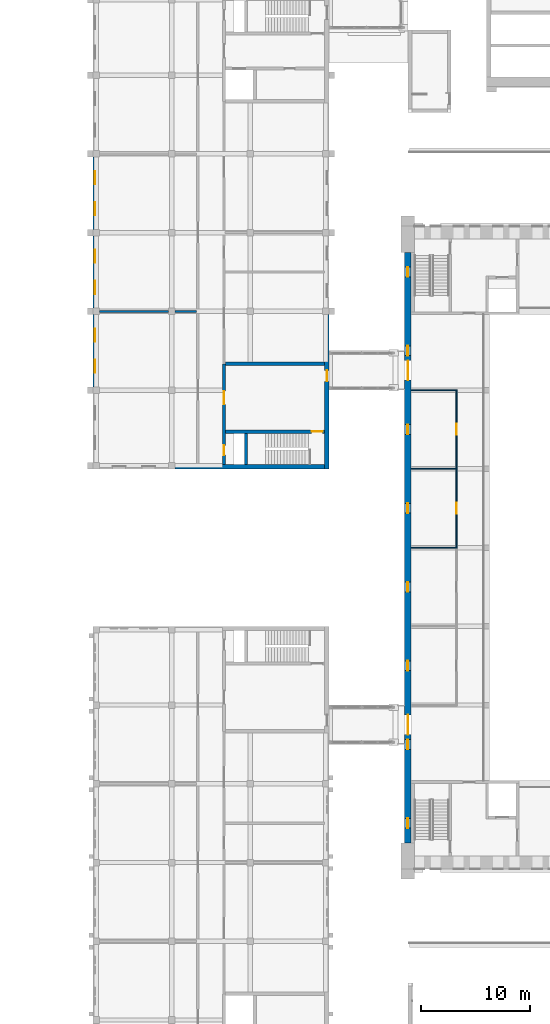
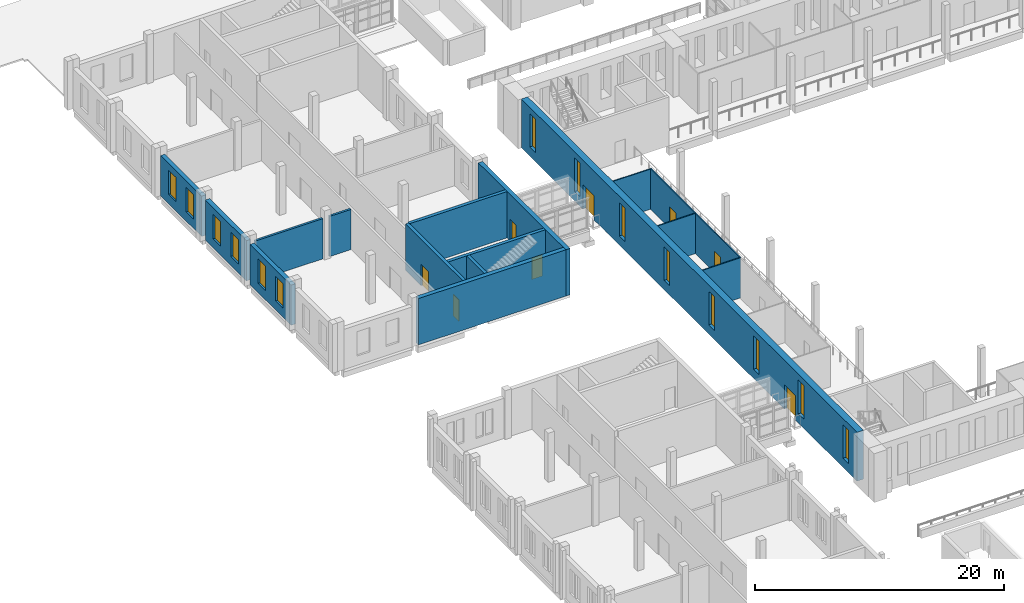
# One storey, part 83 of 131: 17 walls, 14 windows, 8 doors, 22 openings.
"""IFC4 building model written with IfcOpenShell, lengths in metres."""

from ifc_helpers import new_model, si_unit, direction, frame, frame_2d, origin, place, context, subcontext, project, spatial, rectangle, extrude, material, layer, layer_set, type_object, element, fill, save


model = new_model("IFC4")

# Units and contexts
model_context = context("Model", 3, precision=1e-05, world=origin(), true_north=direction((0.0, 1.0)))
body_context = subcontext(model_context, "Body", "Model", "MODEL_VIEW")
ifc_project = project(units=[si_unit("LENGTHUNIT", "METRE"), si_unit("AREAUNIT", "SQUARE_METRE"), si_unit("VOLUMEUNIT", "CUBIC_METRE"), si_unit("PLANEANGLEUNIT", "RADIAN"), si_unit("MASSUNIT", "GRAM", prefix="KILO")], contexts=[model_context])

# Site, building, storey
site_placement = place(None, origin())
site = spatial("IfcSite", under=ifc_project, at=site_placement, CompositionType="ELEMENT")
building_placement = place(site_placement, origin())
building = spatial("IfcBuilding", under=site, at=building_placement, Name="Alderwick Market Hall", CompositionType="ELEMENT")
storey_placement = place(building_placement, frame((0.0, 0.0, 4.800048828125)))
storey = spatial("IfcBuildingStorey", under=building, at=storey_placement, Name="L00", CompositionType="ELEMENT", Elevation=4.800048828125)

# Wall, openings, windows
ifc_material_1 = material(Name="Face brick", Category="masonry")
ifc_layer_1 = layer(ifc_material_1, 0.39990234375)
ifc_layer_set_1 = layer_set([ifc_layer_1], Name="Face brick")
wall_type_1 = type_object("IfcWallType", Name="B Brick Cavity Wall 400", PredefinedType="SOLIDWALL", material=ifc_layer_set_1)
wall_1_placement = place(storey_placement, frame((21.800048828125, 93.89990234375, 0.0), z_axis=(0.0, 0.0, 1.0), x_axis=(0.0, 1.0, 0.0)))
wall_1 = element("IfcWall", 1, at=wall_1_placement, inside=storey, type_object=wall_type_1, Name="B.N.wall.L00.017", PredefinedType="SOLIDWALL", context=body_context, shape_type="SweptSolid", body=[
    extrude(rectangle(XDim=6.60009765625, YDim=0.39990234375, at=frame_2d((3.300048828125, 0.0))), origin(), (0.0, 0.0, 1.0), 3.949951171875),
])
opening_1_placement = place(wall_1_placement, frame((1.27490234375, 0.0, 0.89990234375)))
opening_1 = element("IfcOpeningElement", 2, at=opening_1_placement, cuts=wall_1, Name="Opening B-W016", PredefinedType="OPENING", context=body_context, shape_type="SweptSolid", body=[
    extrude(rectangle(XDim=1.199951171875, YDim=2.39990234375, at=frame_2d((0.60009765625, 1.199951171875))), frame((0.0, 0.2099609375, 0.0), z_axis=(0.0, -1.0, 0.0), x_axis=(1.0, 0.0, 0.0)), (0.0, 0.0, 1.0), 0.419921875),
])
opening_2_placement = place(wall_1_placement, frame((4.125, 0.0, 0.89990234375)))
opening_2 = element("IfcOpeningElement", 3, at=opening_2_placement, cuts=wall_1, Name="Opening B-W017", PredefinedType="OPENING", context=body_context, shape_type="SweptSolid", body=[
    extrude(rectangle(XDim=1.199951171875, YDim=2.39990234375, at=frame_2d((0.60009765625, 1.199951171875))), frame((0.0, 0.2099609375, 0.0), z_axis=(0.0, -1.0, 0.0), x_axis=(1.0, 0.0, 0.0)), (0.0, 0.0, 1.0), 0.419921875),
])
ifc_material_2 = material(Name="Aluminium frame", Category="aluminium")
window_type_1 = type_object("IfcWindowType", Name="B Piano Nobile Window 1200x2400", PartitioningType="SINGLE_PANEL", PredefinedType="WINDOW", material=ifc_material_2)
window_1_placement = place(opening_1_placement, origin())
window_1 = element("IfcWindow", 4, at=window_1_placement, inside=storey, type_object=window_type_1, Name="Window B-W016", OverallHeight=2.39990234375, OverallWidth=1.199951171875, PartitioningType="SINGLE_PANEL", PredefinedType="WINDOW", context=body_context, shape_type="SweptSolid", body=[
    extrude(rectangle(XDim=1.199951171875, YDim=2.39990234375, at=frame_2d((0.60009765625, 1.199951171875))), frame((0.0, 0.030029296875, 0.0), z_axis=(0.0, -1.0, 0.0), x_axis=(1.0, 0.0, 0.0)), (0.0, 0.0, 1.0), 0.06005859375),
])
fill(opening_1, window_1)
window_2_placement = place(opening_2_placement, origin())
window_2 = element("IfcWindow", 5, at=window_2_placement, inside=storey, type_object=window_type_1, Name="Window B-W017", OverallHeight=2.39990234375, OverallWidth=1.199951171875, PartitioningType="SINGLE_PANEL", PredefinedType="WINDOW", context=body_context, shape_type="SweptSolid", body=[
    extrude(rectangle(XDim=1.199951171875, YDim=2.39990234375, at=frame_2d((0.60009765625, 1.199951171875))), frame((0.0, 0.030029296875, 0.0), z_axis=(0.0, -1.0, 0.0), x_axis=(1.0, 0.0, 0.0)), (0.0, 0.0, 1.0), 0.06005859375),
])
fill(opening_2, window_2)

wall_2_placement = place(storey_placement, frame((21.800048828125, 101.10009765625, 0.0), z_axis=(0.0, 0.0, 1.0), x_axis=(0.0, 1.0, 0.0)))
wall_2 = element("IfcWall", 6, at=wall_2_placement, inside=storey, type_object=wall_type_1, Name="B.N.wall.L00.018", PredefinedType="SOLIDWALL", context=body_context, shape_type="SweptSolid", body=[
    extrude(rectangle(XDim=6.599853515625, YDim=0.39990234375, at=frame_2d((3.2998046875, 0.0))), origin(), (0.0, 0.0, 1.0), 3.949951171875),
])
opening_3_placement = place(wall_2_placement, frame((1.27490234375, 0.0, 0.89990234375)))
opening_3 = element("IfcOpeningElement", 7, at=opening_3_placement, cuts=wall_2, Name="Opening B-W018", PredefinedType="OPENING", context=body_context, shape_type="SweptSolid", body=[
    extrude(rectangle(XDim=1.199951171875, YDim=2.39990234375, at=frame_2d((0.60009765625, 1.199951171875))), frame((0.0, 0.2099609375, 0.0), z_axis=(0.0, -1.0, 0.0), x_axis=(1.0, 0.0, 0.0)), (0.0, 0.0, 1.0), 0.419921875),
])
opening_4_placement = place(wall_2_placement, frame((4.125, 0.0, 0.89990234375)))
opening_4 = element("IfcOpeningElement", 8, at=opening_4_placement, cuts=wall_2, Name="Opening B-W019", PredefinedType="OPENING", context=body_context, shape_type="SweptSolid", body=[
    extrude(rectangle(XDim=1.199951171875, YDim=2.39990234375, at=frame_2d((0.60009765625, 1.199951171875))), frame((0.0, 0.2099609375, 0.0), z_axis=(0.0, -1.0, 0.0), x_axis=(1.0, 0.0, 0.0)), (0.0, 0.0, 1.0), 0.419921875),
])
window_3_placement = place(opening_3_placement, origin())
window_3 = element("IfcWindow", 9, at=window_3_placement, inside=storey, type_object=window_type_1, Name="Window B-W018", OverallHeight=2.39990234375, OverallWidth=1.199951171875, PartitioningType="SINGLE_PANEL", PredefinedType="WINDOW", context=body_context, shape_type="SweptSolid", body=[
    extrude(rectangle(XDim=1.199951171875, YDim=2.39990234375, at=frame_2d((0.60009765625, 1.199951171875))), frame((0.0, 0.030029296875, 0.0), z_axis=(0.0, -1.0, 0.0), x_axis=(1.0, 0.0, 0.0)), (0.0, 0.0, 1.0), 0.06005859375),
])
fill(opening_3, window_3)
window_4_placement = place(opening_4_placement, origin())
window_4 = element("IfcWindow", 10, at=window_4_placement, inside=storey, type_object=window_type_1, Name="Window B-W019", OverallHeight=2.39990234375, OverallWidth=1.199951171875, PartitioningType="SINGLE_PANEL", PredefinedType="WINDOW", context=body_context, shape_type="SweptSolid", body=[
    extrude(rectangle(XDim=1.199951171875, YDim=2.39990234375, at=frame_2d((0.60009765625, 1.199951171875))), frame((0.0, 0.030029296875, 0.0), z_axis=(0.0, -1.0, 0.0), x_axis=(1.0, 0.0, 0.0)), (0.0, 0.0, 1.0), 0.06005859375),
])
fill(opening_4, window_4)

wall_3_placement = place(storey_placement, frame((21.800048828125, 108.300048828125, 0.0), z_axis=(0.0, 0.0, 1.0), x_axis=(0.0, 1.0, 0.0)))
wall_3 = element("IfcWall", 11, at=wall_3_placement, inside=storey, type_object=wall_type_1, Name="B.N.wall.L00.019", PredefinedType="SOLIDWALL", context=body_context, shape_type="SweptSolid", body=[
    extrude(rectangle(XDim=6.599853515625, YDim=0.39990234375, at=frame_2d((3.2998046875, 0.0))), origin(), (0.0, 0.0, 1.0), 3.949951171875),
])
opening_5_placement = place(wall_3_placement, frame((1.27490234375, 0.0, 0.89990234375)))
opening_5 = element("IfcOpeningElement", 12, at=opening_5_placement, cuts=wall_3, Name="Opening B-W020", PredefinedType="OPENING", context=body_context, shape_type="SweptSolid", body=[
    extrude(rectangle(XDim=1.199951171875, YDim=2.39990234375, at=frame_2d((0.60009765625, 1.199951171875))), frame((0.0, 0.2099609375, 0.0), z_axis=(0.0, -1.0, 0.0), x_axis=(1.0, 0.0, 0.0)), (0.0, 0.0, 1.0), 0.419921875),
])
opening_6_placement = place(wall_3_placement, frame((4.125, 0.0, 0.89990234375)))
opening_6 = element("IfcOpeningElement", 13, at=opening_6_placement, cuts=wall_3, Name="Opening B-W021", PredefinedType="OPENING", context=body_context, shape_type="SweptSolid", body=[
    extrude(rectangle(XDim=1.199951171875, YDim=2.39990234375, at=frame_2d((0.60009765625, 1.199951171875))), frame((0.0, 0.2099609375, 0.0), z_axis=(0.0, -1.0, 0.0), x_axis=(1.0, 0.0, 0.0)), (0.0, 0.0, 1.0), 0.419921875),
])
window_5_placement = place(opening_5_placement, origin())
window_5 = element("IfcWindow", 14, at=window_5_placement, inside=storey, type_object=window_type_1, Name="Window B-W020", OverallHeight=2.39990234375, OverallWidth=1.199951171875, PartitioningType="SINGLE_PANEL", PredefinedType="WINDOW", context=body_context, shape_type="SweptSolid", body=[
    extrude(rectangle(XDim=1.199951171875, YDim=2.39990234375, at=frame_2d((0.60009765625, 1.199951171875))), frame((0.0, 0.030029296875, 0.0), z_axis=(0.0, -1.0, 0.0), x_axis=(1.0, 0.0, 0.0)), (0.0, 0.0, 1.0), 0.06005859375),
])
fill(opening_5, window_5)
window_6_placement = place(opening_6_placement, origin())
window_6 = element("IfcWindow", 15, at=window_6_placement, inside=storey, type_object=window_type_1, Name="Window B-W021", OverallHeight=2.39990234375, OverallWidth=1.199951171875, PartitioningType="SINGLE_PANEL", PredefinedType="WINDOW", context=body_context, shape_type="SweptSolid", body=[
    extrude(rectangle(XDim=1.199951171875, YDim=2.39990234375, at=frame_2d((0.60009765625, 1.199951171875))), frame((0.0, 0.030029296875, 0.0), z_axis=(0.0, -1.0, 0.0), x_axis=(1.0, 0.0, 0.0)), (0.0, 0.0, 1.0), 0.06005859375),
])
fill(opening_6, window_6)

# Walls
ifc_material_3 = material(Name="Concrete masonry 3000 psi", Category="masonry")
ifc_layer_2 = layer(ifc_material_3, 0.199951171875)
ifc_layer_set_2 = layer_set([ifc_layer_2], Name="Concrete masonry 3000 psi")
wall_type_2 = type_object("IfcWallType", Name="B Masonry Partition 200", PredefinedType="PARTITIONING", material=ifc_layer_set_2)
wall_4_placement = place(storey_placement, frame((22.199951171875, 100.800048828125, 0.0), z_axis=(0.0, 0.0, 1.0), x_axis=(1.0, 0.0, 0.0)))
element("IfcWall", 16, at=wall_4_placement, inside=storey, type_object=wall_type_2, Name="B.N.wall.L00.004", PredefinedType="PARTITIONING", context=body_context, shape_type="SweptSolid", body=[
    extrude(rectangle(XDim=6.300048828125, YDim=0.199951171875, at=frame_2d((3.14990234375, 0.0))), origin(), (0.0, 0.0, 1.0), 3.949951171875),
])
wall_5_placement = place(storey_placement, frame((29.10009765625, 100.800048828125, 0.0), z_axis=(0.0, 0.0, 1.0), x_axis=(1.0, 0.0, 0.0)))
element("IfcWall", 17, at=wall_5_placement, inside=storey, type_object=wall_type_2, Name="B.N.wall.L00.005", PredefinedType="PARTITIONING", context=body_context, shape_type="SweptSolid", body=[
    extrude(rectangle(XDim=2.0, YDim=0.199951171875, at=frame_2d((1.0, 0.0))), origin(), (0.0, 0.0, 1.0), 3.949951171875),
])
ifc_material_4 = material(Name="Concrete 5000 psi (f'c 35 MPa)", Category="concrete")
ifc_layer_3 = layer(ifc_material_4, 0.39990234375)
ifc_layer_set_3 = layer_set([ifc_layer_3], Name="Concrete 5000 psi (f'c 35 MPa)")
wall_type_3 = type_object("IfcWallType", Name="B RC Core Facade Wall 400", PredefinedType="SHEAR", material=ifc_layer_set_3)
wall_6_placement = place(storey_placement, frame((29.10009765625, 86.60009765625, 0.0), z_axis=(0.0, 0.0, 1.0), x_axis=(1.0, 0.0, 0.0)))
element("IfcWall", 18, at=wall_6_placement, inside=storey, type_object=wall_type_3, Name="B.N.wall.L00.001", PredefinedType="SHEAR", context=body_context, shape_type="SweptSolid", body=[
    extrude(rectangle(XDim=13.699951171875, YDim=0.39990234375, at=frame_2d((6.85009765625, 0.0))), origin(), (0.0, 0.0, 1.0), 4.550048828125),
])

# Wall, opening, door
wall_7_placement = place(storey_placement, frame((43.0, 86.39990234375, 0.0), z_axis=(0.0, 0.0, 1.0), x_axis=(0.0, 1.0, 0.0)))
wall_7 = element("IfcWall", 19, at=wall_7_placement, inside=storey, type_object=wall_type_3, Name="B.N.wall.L00.029", PredefinedType="SHEAR", context=body_context, shape_type="SweptSolid", body=[
    extrude(rectangle(XDim=14.10009765625, YDim=0.39990234375, at=frame_2d((7.050048828125, 0.0))), origin(), (0.0, 0.0, 1.0), 4.550048828125),
])
opening_7_placement = place(wall_7_placement, frame((8.0, 0.0, 0.0)))
opening_7 = element("IfcOpeningElement", 20, at=opening_7_placement, cuts=wall_7, Name="Opening B-D009", PredefinedType="OPENING", context=body_context, shape_type="SweptSolid", body=[
    extrude(rectangle(XDim=1.0, YDim=2.10009765625, at=frame_2d((0.5, 1.050048828125))), frame((0.0, 0.2099609375, 0.0), z_axis=(0.0, -1.0, 0.0), x_axis=(1.0, 0.0, 0.0)), (0.0, 0.0, 1.0), 0.419921875),
])
ifc_material_5 = material(Name="Hollow metal fire door and frame")
door_type_1 = type_object("IfcDoorType", Name="B Fire Door 1000x2100", OperationType="SINGLE_SWING_LEFT", PredefinedType="DOOR", material=ifc_material_5)
door_1_placement = place(opening_7_placement, origin())
door_1 = element("IfcDoor", 21, at=door_1_placement, inside=storey, type_object=door_type_1, Name="Passage door N-2", OperationType="SINGLE_SWING_LEFT", OverallHeight=2.10009765625, OverallWidth=1.0, PredefinedType="DOOR", context=body_context, shape_type="SweptSolid", body=[
    extrude(rectangle(XDim=1.0, YDim=2.10009765625, at=frame_2d((0.5, 1.050048828125))), frame((0.0, 0.02490234375, 0.0), z_axis=(0.0, -1.0, 0.0), x_axis=(1.0, 0.0, 0.0)), (0.0, 0.0, 1.0), 0.050048828125),
])
fill(opening_7, door_1)

ifc_layer_4 = layer(ifc_material_4, 0.300048828125)
ifc_layer_set_4 = layer_set([ifc_layer_4], Name="Concrete 5000 psi (f'c 35 MPa)")
wall_type_4 = type_object("IfcWallType", Name="B RC Core Wall 300", PredefinedType="SHEAR", material=ifc_layer_set_4)
wall_8_placement = place(storey_placement, frame((33.75, 89.800048828125, 0.0), z_axis=(0.0, 0.0, 1.0), x_axis=(1.0, 0.0, 0.0)))
wall_8 = element("IfcWall", 22, at=wall_8_placement, inside=storey, type_object=wall_type_4, Name="B.N.wall.L00.002", PredefinedType="SHEAR", context=body_context, shape_type="SweptSolid", body=[
    extrude(rectangle(XDim=9.050048828125, YDim=0.300048828125, at=frame_2d((4.52490234375, 0.0))), origin(), (0.0, 0.0, 1.0), 4.550048828125),
])
opening_8_placement = place(wall_8_placement, frame((7.85009765625, 0.0, 0.0)))
opening_8 = element("IfcOpeningElement", 23, at=opening_8_placement, cuts=wall_8, Name="Opening B-D046", PredefinedType="OPENING", context=body_context, shape_type="SweptSolid", body=[
    extrude(rectangle(XDim=1.0, YDim=2.10009765625, at=frame_2d((0.5, 1.050048828125))), frame((0.0, 0.159912109375, 0.0), z_axis=(0.0, -1.0, 0.0), x_axis=(1.0, 0.0, 0.0)), (0.0, 0.0, 1.0), 0.320068359375),
])
door_2_placement = place(opening_8_placement, origin())
door_2 = element("IfcDoor", 24, at=door_2_placement, inside=storey, type_object=door_type_1, Name="Stair N-2 lobby door", OperationType="SINGLE_SWING_RIGHT", OverallHeight=2.10009765625, OverallWidth=1.0, PredefinedType="DOOR", context=body_context, shape_type="SweptSolid", body=[
    extrude(rectangle(XDim=1.0, YDim=2.10009765625, at=frame_2d((0.5, 1.050048828125))), frame((0.0, 0.02490234375, 0.0), z_axis=(0.0, -1.0, 0.0), x_axis=(1.0, 0.0, 0.0)), (0.0, 0.0, 1.0), 0.050048828125),
])
fill(opening_8, door_2)

# Wall
wall_9_placement = place(storey_placement, frame((33.75, 96.0, 0.0), z_axis=(0.0, 0.0, 1.0), x_axis=(1.0, 0.0, 0.0)))
element("IfcWall", 25, at=wall_9_placement, inside=storey, type_object=wall_type_4, Name="B.N.wall.L00.003", PredefinedType="SHEAR", context=body_context, shape_type="SweptSolid", body=[
    extrude(rectangle(XDim=9.050048828125, YDim=0.300048828125, at=frame_2d((4.52490234375, 0.0))), origin(), (0.0, 0.0, 1.0), 4.550048828125),
])

# Wall, openings, doors
wall_10_placement = place(storey_placement, frame((33.60009765625, 86.800048828125, 0.0), z_axis=(0.0, 0.0, 1.0), x_axis=(0.0, 1.0, 0.0)))
wall_10 = element("IfcWall", 26, at=wall_10_placement, inside=storey, type_object=wall_type_4, Name="B.N.wall.L00.023", PredefinedType="SHEAR", context=body_context, shape_type="SweptSolid", body=[
    extrude(rectangle(XDim=9.199951171875, YDim=0.300048828125, at=frame_2d((4.60009765625, 0.0))), origin(), (0.0, 0.0, 1.0), 4.550048828125),
])
opening_9_placement = place(wall_10_placement, frame((5.5, 0.0, 0.0)))
opening_9 = element("IfcOpeningElement", 27, at=opening_9_placement, cuts=wall_10, Name="Opening B-D047", PredefinedType="OPENING", context=body_context, shape_type="SweptSolid", body=[
    extrude(rectangle(XDim=1.199951171875, YDim=2.10009765625, at=frame_2d((0.60009765625, 1.050048828125))), frame((0.0, 0.159912109375, 0.0), z_axis=(0.0, -1.0, 0.0), x_axis=(1.0, 0.0, 0.0)), (0.0, 0.0, 1.0), 0.320068359375),
])
opening_10_placement = place(wall_10_placement, frame((0.85009765625, 0.0, 0.0)))
opening_10 = element("IfcOpeningElement", 28, at=opening_10_placement, cuts=wall_10, Name="Opening B-D048", PredefinedType="OPENING", context=body_context, shape_type="SweptSolid", body=[
    extrude(rectangle(XDim=0.89990234375, YDim=2.10009765625, at=frame_2d((0.449951171875, 1.050048828125))), frame((0.0, 0.159912109375, 0.0), z_axis=(0.0, -1.0, 0.0), x_axis=(1.0, 0.0, 0.0)), (0.0, 0.0, 1.0), 0.320068359375),
])
door_type_2 = type_object("IfcDoorType", Name="B Fire Door 1200x2100", OperationType="SINGLE_SWING_LEFT", PredefinedType="DOOR", material=ifc_material_5)
door_3_placement = place(opening_9_placement, origin())
door_3 = element("IfcDoor", 29, at=door_3_placement, inside=storey, type_object=door_type_2, Name="Lobby N-2 corridor door", OperationType="SINGLE_SWING_LEFT", OverallHeight=2.10009765625, OverallWidth=1.199951171875, PredefinedType="DOOR", context=body_context, shape_type="SweptSolid", body=[
    extrude(rectangle(XDim=1.199951171875, YDim=2.10009765625, at=frame_2d((0.60009765625, 1.050048828125))), frame((0.0, 0.02490234375, 0.0), z_axis=(0.0, -1.0, 0.0), x_axis=(1.0, 0.0, 0.0)), (0.0, 0.0, 1.0), 0.050048828125),
])
fill(opening_9, door_3)
door_type_3 = type_object("IfcDoorType", Name="B Fire Door 900x2100", OperationType="SINGLE_SWING_LEFT", PredefinedType="DOOR", material=ifc_material_5)
door_4_placement = place(opening_10_placement, origin())
door_4 = element("IfcDoor", 30, at=door_4_placement, inside=storey, type_object=door_type_3, Name="Riser N-2 access door", OperationType="SINGLE_SWING_RIGHT", OverallHeight=2.10009765625, OverallWidth=0.89990234375, PredefinedType="DOOR", context=body_context, shape_type="SweptSolid", body=[
    extrude(rectangle(XDim=0.89990234375, YDim=2.10009765625, at=frame_2d((0.449951171875, 1.050048828125))), frame((0.0, 0.02490234375, 0.0), z_axis=(0.0, -1.0, 0.0), x_axis=(1.0, 0.0, 0.0)), (0.0, 0.0, 1.0), 0.050048828125),
])
fill(opening_10, door_4)

# Walls
wall_11_placement = place(storey_placement, frame((35.60009765625, 86.800048828125, 0.0), z_axis=(0.0, 0.0, 1.0), x_axis=(0.0, 1.0, 0.0)))
element("IfcWall", 31, at=wall_11_placement, inside=storey, type_object=wall_type_4, Name="B.N.wall.L00.026", PredefinedType="SHEAR", context=body_context, shape_type="SweptSolid", body=[
    extrude(rectangle(XDim=2.849853515625, YDim=0.300048828125, at=frame_2d((1.4248046875, 0.0))), origin(), (0.0, 0.0, 1.0), 4.550048828125),
])
ifc_material_6 = material(Name="Gypsum board partition")
ifc_layer_5 = layer(ifc_material_6, 0.10009765625)
ifc_layer_set_5 = layer_set([ifc_layer_5], Name="Gypsum board partition")
wall_type_5 = type_object("IfcWallType", Name="H Partition 100", PredefinedType="PARTITIONING", material=ifc_layer_set_5)
for number, where, z_axis, x_axis, name in (
    (32, (50.699951171875, 79.199951171875, 0.0), (0.0, 0.0, 1.0), (1.0, 0.0, 0.0), "Partition"),
    (33, (50.699951171875, 86.39990234375, 0.0), (0.0, 0.0, 1.0), (1.0, 0.0, 0.0), "Partition"),
    (34, (50.699951171875, 93.60009765625, 0.0), (0.0, 0.0, 1.0), (1.0, 0.0, 0.0), "Partition"),
):
    element("IfcWall", number, at=place(storey_placement, frame(where, z_axis=z_axis, x_axis=x_axis)), inside=storey, type_object=wall_type_5, Name=name, PredefinedType="PARTITIONING", context=body_context, shape_type="SweptSolid", body=[
        extrude(rectangle(XDim=4.199951171875, YDim=0.10009765625, at=frame_2d((2.10009765625, 0.0))), origin(), (0.0, 0.0, 1.0), 3.949951171875),
    ])

# Wall, opening, door
wall_12_placement = place(storey_placement, frame((54.85009765625, 79.25, 0.0), z_axis=(0.0, 0.0, 1.0), x_axis=(0.0, 1.0, 0.0)))
wall_12 = element("IfcWall", 35, at=wall_12_placement, inside=storey, type_object=wall_type_5, Name="Partition", PredefinedType="PARTITIONING", context=body_context, shape_type="SweptSolid", body=[
    extrude(rectangle(XDim=7.10009765625, YDim=0.10009765625, at=frame_2d((3.550048828125, 0.0))), origin(), (0.0, 0.0, 1.0), 3.949951171875),
])
opening_11_placement = place(wall_12_placement, frame((3.050048828125, 0.0, 0.0)))
opening_11 = element("IfcOpeningElement", 36, at=opening_11_placement, cuts=wall_12, Name="Opening H-D080", PredefinedType="OPENING", context=body_context, shape_type="SweptSolid", body=[
    extrude(rectangle(XDim=1.0, YDim=2.10009765625, at=frame_2d((0.5, 1.050048828125))), frame((0.0, 0.06005859375, 0.0), z_axis=(0.0, -1.0, 0.0), x_axis=(1.0, 0.0, 0.0)), (0.0, 0.0, 1.0), 0.1201171875),
])
ifc_material_7 = material(Name="Timber, solid core", Category="wood")
door_type_4 = type_object("IfcDoorType", Name="H Accessible WC door 1000x2100", OperationType="SINGLE_SWING_LEFT", PredefinedType="DOOR", material=ifc_material_7)
door_5_placement = place(opening_11_placement, origin())
door_5 = element("IfcDoor", 37, at=door_5_placement, inside=storey, type_object=door_type_4, Name="Door H-D080", OperationType="SINGLE_SWING_LEFT", OverallHeight=2.10009765625, OverallWidth=1.0, PredefinedType="DOOR", context=body_context, shape_type="SweptSolid", body=[
    extrude(rectangle(XDim=1.0, YDim=2.10009765625, at=frame_2d((0.5, 1.050048828125))), frame((0.0, 0.02490234375, 0.0), z_axis=(0.0, -1.0, 0.0), x_axis=(1.0, 0.0, 0.0)), (0.0, 0.0, 1.0), 0.050048828125),
])
fill(opening_11, door_5)

wall_13_placement = place(storey_placement, frame((54.85009765625, 86.449951171875, 0.0), z_axis=(0.0, 0.0, 1.0), x_axis=(0.0, 1.0, 0.0)))
wall_13 = element("IfcWall", 38, at=wall_13_placement, inside=storey, type_object=wall_type_5, Name="Partition", PredefinedType="PARTITIONING", context=body_context, shape_type="SweptSolid", body=[
    extrude(rectangle(XDim=7.10009765625, YDim=0.10009765625, at=frame_2d((3.550048828125, 0.0))), origin(), (0.0, 0.0, 1.0), 3.949951171875),
])
opening_12_placement = place(wall_13_placement, frame((3.050048828125, 0.0, 0.0)))
opening_12 = element("IfcOpeningElement", 39, at=opening_12_placement, cuts=wall_13, Name="Opening H-D081", PredefinedType="OPENING", context=body_context, shape_type="SweptSolid", body=[
    extrude(rectangle(XDim=1.0, YDim=2.10009765625, at=frame_2d((0.5, 1.050048828125))), frame((0.0, 0.06005859375, 0.0), z_axis=(0.0, -1.0, 0.0), x_axis=(1.0, 0.0, 0.0)), (0.0, 0.0, 1.0), 0.1201171875),
])
door_type_5 = type_object("IfcDoorType", Name="H Room door 1000x2100", OperationType="SINGLE_SWING_LEFT", PredefinedType="DOOR", material=ifc_material_7)
door_6_placement = place(opening_12_placement, origin())
door_6 = element("IfcDoor", 40, at=door_6_placement, inside=storey, type_object=door_type_5, Name="Door H-D081", OperationType="SINGLE_SWING_LEFT", OverallHeight=2.10009765625, OverallWidth=1.0, PredefinedType="DOOR", context=body_context, shape_type="SweptSolid", body=[
    extrude(rectangle(XDim=1.0, YDim=2.10009765625, at=frame_2d((0.5, 1.050048828125))), frame((0.0, 0.02490234375, 0.0), z_axis=(0.0, -1.0, 0.0), x_axis=(1.0, 0.0, 0.0)), (0.0, 0.0, 1.0), 0.050048828125),
])
fill(opening_12, door_6)

# Wall, openings, doors, windows
ifc_layer_6 = layer(ifc_material_4, 0.60009765625)
ifc_layer_set_6 = layer_set([ifc_layer_6], Name="Concrete 5000 psi (f'c 35 MPa)")
wall_type_6 = type_object("IfcWallType", Name="R Gable Wall 600", PredefinedType="SOLIDWALL", material=ifc_layer_set_6)
wall_14_placement = place(storey_placement, frame((50.39990234375, 52.199951171875, 0.0), z_axis=(0.0, 0.0, 1.0), x_axis=(0.0, 1.0, 0.0)))
wall_14 = element("IfcWall", 41, at=wall_14_placement, inside=storey, type_object=wall_type_6, Name="West gable wall L00", PredefinedType="SOLIDWALL", context=body_context, shape_type="SweptSolid", body=[
    extrude(rectangle(XDim=54.0, YDim=0.60009765625, at=frame_2d((27.0, 0.0))), origin(), (0.0, 0.0, 1.0), 4.800048828125),
])
opening_13_placement = place(wall_14_placement, frame((1.35009765625, 0.0, 0.89990234375)))
opening_13 = element("IfcOpeningElement", 42, at=opening_13_placement, cuts=wall_14, Name="Opening R-W009", PredefinedType="OPENING", context=body_context, shape_type="SweptSolid", body=[
    extrude(rectangle(XDim=0.89990234375, YDim=3.300048828125, at=frame_2d((0.449951171875, 1.64990234375))), frame((0.0, 0.31005859375, 0.0), z_axis=(0.0, -1.0, 0.0), x_axis=(1.0, 0.0, 0.0)), (0.0, 0.0, 1.0), 0.6201171875),
])
opening_14_placement = place(wall_14_placement, frame((8.550048828125, 0.0, 0.89990234375)))
opening_14 = element("IfcOpeningElement", 43, at=opening_14_placement, cuts=wall_14, Name="Opening R-W010", PredefinedType="OPENING", context=body_context, shape_type="SweptSolid", body=[
    extrude(rectangle(XDim=0.89990234375, YDim=3.300048828125, at=frame_2d((0.449951171875, 1.64990234375))), frame((0.0, 0.31005859375, 0.0), z_axis=(0.0, -1.0, 0.0), x_axis=(1.0, 0.0, 0.0)), (0.0, 0.0, 1.0), 0.6201171875),
])
opening_15_placement = place(wall_14_placement, frame((15.75, 0.0, 0.89990234375)))
opening_15 = element("IfcOpeningElement", 44, at=opening_15_placement, cuts=wall_14, Name="Opening R-W011", PredefinedType="OPENING", context=body_context, shape_type="SweptSolid", body=[
    extrude(rectangle(XDim=0.89990234375, YDim=3.300048828125, at=frame_2d((0.449951171875, 1.64990234375))), frame((0.0, 0.31005859375, 0.0), z_axis=(0.0, -1.0, 0.0), x_axis=(1.0, 0.0, 0.0)), (0.0, 0.0, 1.0), 0.6201171875),
])
opening_16_placement = place(wall_14_placement, frame((22.949951171875, 0.0, 0.89990234375)))
opening_16 = element("IfcOpeningElement", 45, at=opening_16_placement, cuts=wall_14, Name="Opening R-W012", PredefinedType="OPENING", context=body_context, shape_type="SweptSolid", body=[
    extrude(rectangle(XDim=0.89990234375, YDim=3.300048828125, at=frame_2d((0.449951171875, 1.64990234375))), frame((0.0, 0.31005859375, 0.0), z_axis=(0.0, -1.0, 0.0), x_axis=(1.0, 0.0, 0.0)), (0.0, 0.0, 1.0), 0.6201171875),
])
opening_17_placement = place(wall_14_placement, frame((30.14990234375, 0.0, 0.89990234375)))
opening_17 = element("IfcOpeningElement", 46, at=opening_17_placement, cuts=wall_14, Name="Opening R-W013", PredefinedType="OPENING", context=body_context, shape_type="SweptSolid", body=[
    extrude(rectangle(XDim=0.89990234375, YDim=3.300048828125, at=frame_2d((0.449951171875, 1.64990234375))), frame((0.0, 0.31005859375, 0.0), z_axis=(0.0, -1.0, 0.0), x_axis=(1.0, 0.0, 0.0)), (0.0, 0.0, 1.0), 0.6201171875),
])
opening_18_placement = place(wall_14_placement, frame((37.35009765625, 0.0, 0.89990234375)))
opening_18 = element("IfcOpeningElement", 47, at=opening_18_placement, cuts=wall_14, Name="Opening R-W014", PredefinedType="OPENING", context=body_context, shape_type="SweptSolid", body=[
    extrude(rectangle(XDim=0.89990234375, YDim=3.300048828125, at=frame_2d((0.449951171875, 1.64990234375))), frame((0.0, 0.31005859375, 0.0), z_axis=(0.0, -1.0, 0.0), x_axis=(1.0, 0.0, 0.0)), (0.0, 0.0, 1.0), 0.6201171875),
])
opening_19_placement = place(wall_14_placement, frame((44.550048828125, 0.0, 0.89990234375)))
opening_19 = element("IfcOpeningElement", 48, at=opening_19_placement, cuts=wall_14, Name="Opening R-W015", PredefinedType="OPENING", context=body_context, shape_type="SweptSolid", body=[
    extrude(rectangle(XDim=0.89990234375, YDim=3.300048828125, at=frame_2d((0.449951171875, 1.64990234375))), frame((0.0, 0.31005859375, 0.0), z_axis=(0.0, -1.0, 0.0), x_axis=(1.0, 0.0, 0.0)), (0.0, 0.0, 1.0), 0.6201171875),
])
opening_20_placement = place(wall_14_placement, frame((51.75, 0.0, 0.89990234375)))
opening_20 = element("IfcOpeningElement", 49, at=opening_20_placement, cuts=wall_14, Name="Opening R-W016", PredefinedType="OPENING", context=body_context, shape_type="SweptSolid", body=[
    extrude(rectangle(XDim=0.89990234375, YDim=3.300048828125, at=frame_2d((0.449951171875, 1.64990234375))), frame((0.0, 0.31005859375, 0.0), z_axis=(0.0, -1.0, 0.0), x_axis=(1.0, 0.0, 0.0)), (0.0, 0.0, 1.0), 0.6201171875),
])
opening_21_placement = place(wall_14_placement, frame((9.89990234375, 0.0, 0.0)))
opening_21 = element("IfcOpeningElement", 50, at=opening_21_placement, cuts=wall_14, Name="Opening R-D004", PredefinedType="OPENING", context=body_context, shape_type="SweptSolid", body=[
    extrude(rectangle(XDim=1.800048828125, YDim=2.39990234375, at=frame_2d((0.89990234375, 1.199951171875))), frame((0.0, 0.31005859375, 0.0), z_axis=(0.0, -1.0, 0.0), x_axis=(1.0, 0.0, 0.0)), (0.0, 0.0, 1.0), 0.6201171875),
])
opening_22_placement = place(wall_14_placement, frame((42.300048828125, 0.0, 0.0)))
opening_22 = element("IfcOpeningElement", 51, at=opening_22_placement, cuts=wall_14, Name="Opening R-D005", PredefinedType="OPENING", context=body_context, shape_type="SweptSolid", body=[
    extrude(rectangle(XDim=1.800048828125, YDim=2.39990234375, at=frame_2d((0.89990234375, 1.199951171875))), frame((0.0, 0.31005859375, 0.0), z_axis=(0.0, -1.0, 0.0), x_axis=(1.0, 0.0, 0.0)), (0.0, 0.0, 1.0), 0.6201171875),
])
ifc_material_8 = material(Name="Steel", Category="steel")
door_type_6 = type_object("IfcDoorType", Name="R Exit Door Pair 1800x2400", OperationType="DOUBLE_DOOR_SINGLE_SWING", PredefinedType="DOOR", material=ifc_material_8)
door_7_placement = place(opening_21_placement, origin())
door_7 = element("IfcDoor", 52, at=door_7_placement, inside=storey, type_object=door_type_6, Name="Door R-D004", OperationType="DOUBLE_DOOR_SINGLE_SWING", OverallHeight=2.39990234375, OverallWidth=1.800048828125, PredefinedType="DOOR", context=body_context, shape_type="SweptSolid", body=[
    extrude(rectangle(XDim=1.800048828125, YDim=2.39990234375, at=frame_2d((0.89990234375, 1.199951171875))), frame((0.0, 0.02490234375, 0.0), z_axis=(0.0, -1.0, 0.0), x_axis=(1.0, 0.0, 0.0)), (0.0, 0.0, 1.0), 0.050048828125),
])
fill(opening_21, door_7)
door_8_placement = place(opening_22_placement, origin())
door_8 = element("IfcDoor", 53, at=door_8_placement, inside=storey, type_object=door_type_6, Name="Door R-D005", OperationType="DOUBLE_DOOR_SINGLE_SWING", OverallHeight=2.39990234375, OverallWidth=1.800048828125, PredefinedType="DOOR", context=body_context, shape_type="SweptSolid", body=[
    extrude(rectangle(XDim=1.800048828125, YDim=2.39990234375, at=frame_2d((0.89990234375, 1.199951171875))), frame((0.0, 0.02490234375, 0.0), z_axis=(0.0, -1.0, 0.0), x_axis=(1.0, 0.0, 0.0)), (0.0, 0.0, 1.0), 0.050048828125),
])
fill(opening_22, door_8)
ifc_material_9 = material(Name="Aluminium", Category="aluminium")
window_type_2 = type_object("IfcWindowType", Name="R Gable Window 900x3300", PartitioningType="SINGLE_PANEL", PredefinedType="WINDOW", material=ifc_material_9)
window_7_placement = place(opening_13_placement, origin())
window_7 = element("IfcWindow", 54, at=window_7_placement, inside=storey, type_object=window_type_2, Name="Gable window R-W009", OverallHeight=3.300048828125, OverallWidth=0.89990234375, PartitioningType="SINGLE_PANEL", PredefinedType="WINDOW", context=body_context, shape_type="SweptSolid", body=[
    extrude(rectangle(XDim=0.89990234375, YDim=3.300048828125, at=frame_2d((0.449951171875, 1.64990234375))), frame((0.0, 0.030029296875, 0.0), z_axis=(0.0, -1.0, 0.0), x_axis=(1.0, 0.0, 0.0)), (0.0, 0.0, 1.0), 0.06005859375),
])
fill(opening_13, window_7)
window_8_placement = place(opening_14_placement, origin())
window_8 = element("IfcWindow", 55, at=window_8_placement, inside=storey, type_object=window_type_2, Name="Gable window R-W010", OverallHeight=3.300048828125, OverallWidth=0.89990234375, PartitioningType="SINGLE_PANEL", PredefinedType="WINDOW", context=body_context, shape_type="SweptSolid", body=[
    extrude(rectangle(XDim=0.89990234375, YDim=3.300048828125, at=frame_2d((0.449951171875, 1.64990234375))), frame((0.0, 0.030029296875, 0.0), z_axis=(0.0, -1.0, 0.0), x_axis=(1.0, 0.0, 0.0)), (0.0, 0.0, 1.0), 0.06005859375),
])
fill(opening_14, window_8)
window_9_placement = place(opening_15_placement, origin())
window_9 = element("IfcWindow", 56, at=window_9_placement, inside=storey, type_object=window_type_2, Name="Gable window R-W011", OverallHeight=3.300048828125, OverallWidth=0.89990234375, PartitioningType="SINGLE_PANEL", PredefinedType="WINDOW", context=body_context, shape_type="SweptSolid", body=[
    extrude(rectangle(XDim=0.89990234375, YDim=3.300048828125, at=frame_2d((0.449951171875, 1.64990234375))), frame((0.0, 0.030029296875, 0.0), z_axis=(0.0, -1.0, 0.0), x_axis=(1.0, 0.0, 0.0)), (0.0, 0.0, 1.0), 0.06005859375),
])
fill(opening_15, window_9)
window_10_placement = place(opening_16_placement, origin())
window_10 = element("IfcWindow", 57, at=window_10_placement, inside=storey, type_object=window_type_2, Name="Gable window R-W012", OverallHeight=3.300048828125, OverallWidth=0.89990234375, PartitioningType="SINGLE_PANEL", PredefinedType="WINDOW", context=body_context, shape_type="SweptSolid", body=[
    extrude(rectangle(XDim=0.89990234375, YDim=3.300048828125, at=frame_2d((0.449951171875, 1.64990234375))), frame((0.0, 0.030029296875, 0.0), z_axis=(0.0, -1.0, 0.0), x_axis=(1.0, 0.0, 0.0)), (0.0, 0.0, 1.0), 0.06005859375),
])
fill(opening_16, window_10)
window_11_placement = place(opening_17_placement, origin())
window_11 = element("IfcWindow", 58, at=window_11_placement, inside=storey, type_object=window_type_2, Name="Gable window R-W013", OverallHeight=3.300048828125, OverallWidth=0.89990234375, PartitioningType="SINGLE_PANEL", PredefinedType="WINDOW", context=body_context, shape_type="SweptSolid", body=[
    extrude(rectangle(XDim=0.89990234375, YDim=3.300048828125, at=frame_2d((0.449951171875, 1.64990234375))), frame((0.0, 0.030029296875, 0.0), z_axis=(0.0, -1.0, 0.0), x_axis=(1.0, 0.0, 0.0)), (0.0, 0.0, 1.0), 0.06005859375),
])
fill(opening_17, window_11)
window_12_placement = place(opening_18_placement, origin())
window_12 = element("IfcWindow", 59, at=window_12_placement, inside=storey, type_object=window_type_2, Name="Gable window R-W014", OverallHeight=3.300048828125, OverallWidth=0.89990234375, PartitioningType="SINGLE_PANEL", PredefinedType="WINDOW", context=body_context, shape_type="SweptSolid", body=[
    extrude(rectangle(XDim=0.89990234375, YDim=3.300048828125, at=frame_2d((0.449951171875, 1.64990234375))), frame((0.0, 0.030029296875, 0.0), z_axis=(0.0, -1.0, 0.0), x_axis=(1.0, 0.0, 0.0)), (0.0, 0.0, 1.0), 0.06005859375),
])
fill(opening_18, window_12)
window_13_placement = place(opening_19_placement, origin())
window_13 = element("IfcWindow", 60, at=window_13_placement, inside=storey, type_object=window_type_2, Name="Gable window R-W015", OverallHeight=3.300048828125, OverallWidth=0.89990234375, PartitioningType="SINGLE_PANEL", PredefinedType="WINDOW", context=body_context, shape_type="SweptSolid", body=[
    extrude(rectangle(XDim=0.89990234375, YDim=3.300048828125, at=frame_2d((0.449951171875, 1.64990234375))), frame((0.0, 0.030029296875, 0.0), z_axis=(0.0, -1.0, 0.0), x_axis=(1.0, 0.0, 0.0)), (0.0, 0.0, 1.0), 0.06005859375),
])
fill(opening_19, window_13)
window_14_placement = place(opening_20_placement, origin())
window_14 = element("IfcWindow", 61, at=window_14_placement, inside=storey, type_object=window_type_2, Name="Gable window R-W016", OverallHeight=3.300048828125, OverallWidth=0.89990234375, PartitioningType="SINGLE_PANEL", PredefinedType="WINDOW", context=body_context, shape_type="SweptSolid", body=[
    extrude(rectangle(XDim=0.89990234375, YDim=3.300048828125, at=frame_2d((0.449951171875, 1.64990234375))), frame((0.0, 0.030029296875, 0.0), z_axis=(0.0, -1.0, 0.0), x_axis=(1.0, 0.0, 0.0)), (0.0, 0.0, 1.0), 0.06005859375),
])
fill(opening_20, window_14)

save(model, "model.ifc")
